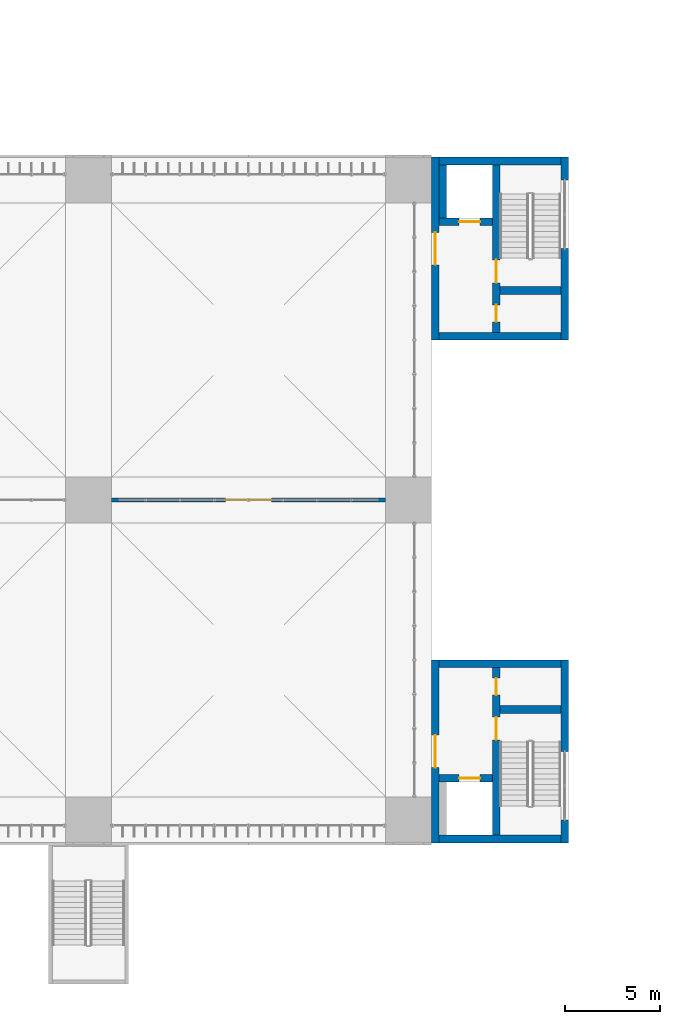
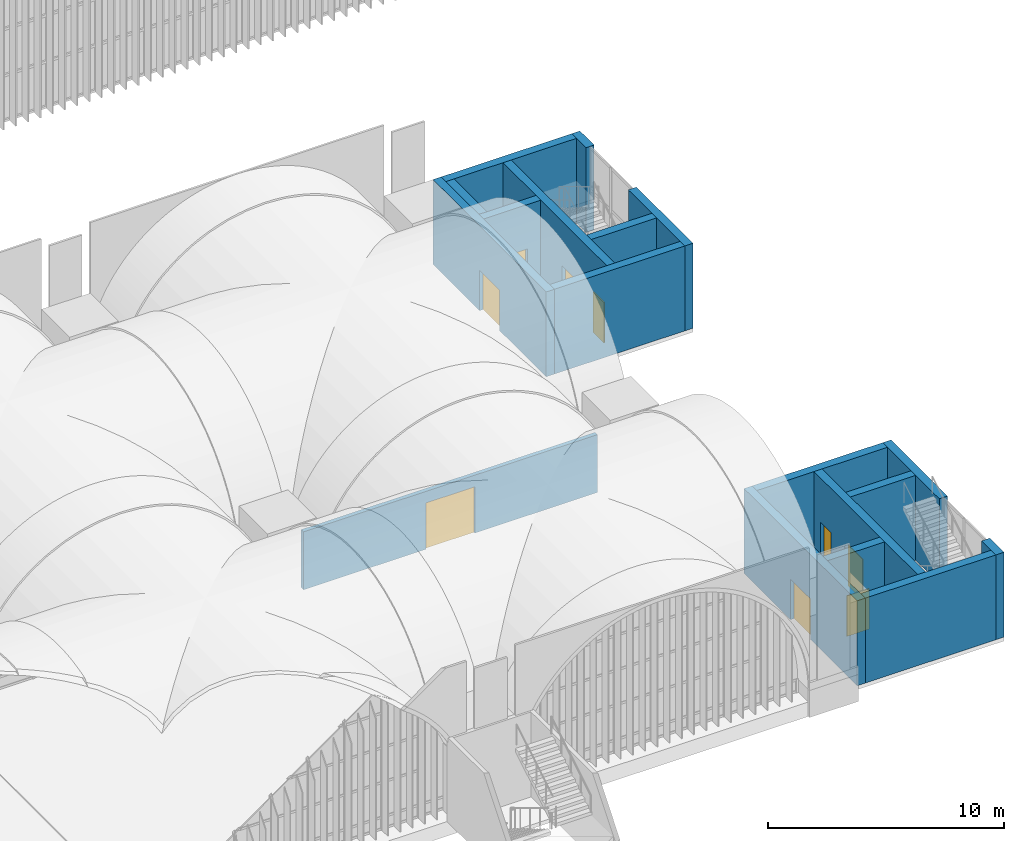
# One storey, part 103 of 169: 18 walls, 9 doors, 9 openings.
"""IFC4 building model written with IfcOpenShell, lengths in metres."""

from ifc_helpers import new_model, si_unit, direction, frame, frame_2d, origin, place, context, subcontext, project, spatial, rectangle, extrude, material, layer, layer_set, type_object, element, fill, save


model = new_model("IFC4")

# Units and contexts
model_context = context("Model", 3, precision=1e-05, world=origin(), true_north=direction((0.0, 1.0)))
body_context = subcontext(model_context, "Body", "Model", "MODEL_VIEW")
ifc_project = project(units=[si_unit("LENGTHUNIT", "METRE"), si_unit("AREAUNIT", "SQUARE_METRE"), si_unit("VOLUMEUNIT", "CUBIC_METRE"), si_unit("PLANEANGLEUNIT", "RADIAN"), si_unit("MASSUNIT", "GRAM", prefix="KILO")], contexts=[model_context])

# Site, building, storey
site_placement = place(None, origin())
site = spatial("IfcSite", under=ifc_project, at=site_placement, CompositionType="ELEMENT")
building_placement = place(site_placement, origin())
building = spatial("IfcBuilding", under=site, at=building_placement, Name="Verrick Yard Athletic Hall", CompositionType="ELEMENT")
storey_placement = place(building_placement, frame((0.0, 0.0, 4.39990234375)))
storey = spatial("IfcBuildingStorey", under=building, at=storey_placement, Name="L01", CompositionType="ELEMENT", Elevation=4.39990234375)

# Wall, opening, door
ifc_material_1 = material(Name="Concrete 35 MPa", Category="concrete")
ifc_layer_1 = layer(ifc_material_1, 0.199951171875)
ifc_layer_set_1 = layer_set([ifc_layer_1], Name="Concourse screen wall 200")
wall_type_1 = type_object("IfcWallType", Name="Concourse screen wall 200", PredefinedType="SOLIDWALL", material=ifc_layer_set_1)
wall_1_placement = place(storey_placement, frame((142.0, 36.0, 0.0), z_axis=(0.0, 0.0, 1.0), x_axis=(1.0, 0.0, 0.0)))
wall_1 = element("IfcWall", 1, at=wall_1_placement, inside=storey, type_object=wall_type_1, Name="Concourse screen wall M7", PredefinedType="SOLIDWALL", context=body_context, shape_type="SweptSolid", body=[
    extrude(rectangle(XDim=14.39990234375, YDim=0.199951171875, at=frame_2d((7.199951171875, 0.0))), origin(), (0.0, 0.0, 1.0), 3.0),
])
opening_1_placement = place(wall_1_placement, frame((6.0, 0.0, 0.0)))
opening_1 = element("IfcOpeningElement", 2, at=opening_1_placement, cuts=wall_1, Name="Opening MD1", PredefinedType="OPENING", context=body_context, shape_type="SweptSolid", body=[
    extrude(rectangle(XDim=2.39990234375, YDim=2.39990234375, at=frame_2d((1.199951171875, 1.199951171875))), frame((0.0, 0.10986328125, 0.0), z_axis=(0.0, -1.0, 0.0), x_axis=(1.0, 0.0, 0.0)), (0.0, 0.0, 1.0), 0.219970703125),
])
ifc_material_2 = material(Name="Aluminium frame with double glazing", Category="aluminium")
door_type_1 = type_object("IfcDoorType", Name="Concourse door pair 2400 x 2400", OperationType="NOTDEFINED", PredefinedType="DOOR", material=ifc_material_2)
door_1_placement = place(opening_1_placement, origin())
door_1 = element("IfcDoor", 3, at=door_1_placement, inside=storey, type_object=door_type_1, Name="Concourse door M7", OperationType="DOUBLE_DOOR_SINGLE_SWING", OverallHeight=2.39990234375, OverallWidth=2.39990234375, PredefinedType="DOOR", context=body_context, shape_type="SweptSolid", body=[
    extrude(rectangle(XDim=2.39990234375, YDim=2.39990234375, at=frame_2d((1.199951171875, 1.199951171875))), frame((0.0, 0.02490234375, 0.0), z_axis=(0.0, -1.0, 0.0), x_axis=(1.0, 0.0, 0.0)), (0.0, 0.0, 1.0), 0.050048828125),
])
fill(opening_1, door_1)

# Wall, openings, doors
ifc_layer_2 = layer(ifc_material_1, 0.39990234375)
ifc_layer_set_2 = layer_set([ifc_layer_2], Name="Core wall CR400")
wall_type_2 = type_object("IfcWallType", Name="Core wall CR400", PredefinedType="SHEAR", material=ifc_layer_set_2)
wall_2_placement = place(storey_placement, frame((162.199951171875, 18.39990234375, 0.0), z_axis=(0.0, 0.0, 1.0), x_axis=(0.0, 1.0, 0.0)))
wall_2 = element("IfcWall", 4, at=wall_2_placement, inside=storey, type_object=wall_type_2, Name="CORE-CB3-WP-L01", PredefinedType="SHEAR", context=body_context, shape_type="SweptSolid", body=[
    extrude(rectangle(XDim=8.800048828125, YDim=0.39990234375, at=frame_2d((4.39990234375, 0.0))), origin(), (0.0, 0.0, 1.0), 4.400146484375),
])
opening_2_placement = place(wall_2_placement, frame((5.0, 0.0, 0.0)))
opening_2 = element("IfcOpeningElement", 5, at=opening_2_placement, cuts=wall_2, Name="Opening SD1", PredefinedType="OPENING", context=body_context, shape_type="SweptSolid", body=[
    extrude(rectangle(XDim=1.199951171875, YDim=2.10009765625, at=frame_2d((0.60009765625, 1.050048828125))), frame((0.0, 0.2099609375, 0.0), z_axis=(0.0, -1.0, 0.0), x_axis=(1.0, 0.0, 0.0)), (0.0, 0.0, 1.0), 0.419921875),
])
opening_3_placement = place(wall_2_placement, frame((7.35009765625, 0.0, 0.0)))
opening_3 = element("IfcOpeningElement", 6, at=opening_3_placement, cuts=wall_2, Name="Opening RD1", PredefinedType="OPENING", context=body_context, shape_type="SweptSolid", body=[
    extrude(rectangle(XDim=0.89990234375, YDim=2.10009765625, at=frame_2d((0.449951171875, 1.050048828125))), frame((0.0, 0.2099609375, 0.0), z_axis=(0.0, -1.0, 0.0), x_axis=(1.0, 0.0, 0.0)), (0.0, 0.0, 1.0), 0.419921875),
])
ifc_material_3 = material(Name="Hollow metal door leaf")
door_type_2 = type_object("IfcDoorType", Name="Core door RD1 900x2100", OperationType="NOTDEFINED", PredefinedType="DOOR", material=ifc_material_3)
door_2_placement = place(opening_3_placement, origin())
door_2 = element("IfcDoor", 7, at=door_2_placement, inside=storey, type_object=door_type_2, Name="CORE-CB3-WP-L01-DRD1-2620", OperationType="SINGLE_SWING_RIGHT", OverallHeight=2.10009765625, OverallWidth=0.89990234375, PredefinedType="DOOR", context=body_context, shape_type="SweptSolid", body=[
    extrude(rectangle(XDim=0.89990234375, YDim=2.10009765625, at=frame_2d((0.449951171875, 1.050048828125))), frame((0.0, 0.02490234375, 0.0), z_axis=(0.0, -1.0, 0.0), x_axis=(1.0, 0.0, 0.0)), (0.0, 0.0, 1.0), 0.050048828125),
])
fill(opening_3, door_2)
door_type_3 = type_object("IfcDoorType", Name="Core door SD1 1200x2100", OperationType="NOTDEFINED", PredefinedType="DOOR", material=ifc_material_3)
door_3_placement = place(opening_2_placement, origin())
door_3 = element("IfcDoor", 8, at=door_3_placement, inside=storey, type_object=door_type_3, Name="CORE-CB3-WP-L01-DSD1-2400", OperationType="SINGLE_SWING_RIGHT", OverallHeight=2.10009765625, OverallWidth=1.199951171875, PredefinedType="DOOR", context=body_context, shape_type="SweptSolid", body=[
    extrude(rectangle(XDim=1.199951171875, YDim=2.10009765625, at=frame_2d((0.60009765625, 1.050048828125))), frame((0.0, 0.02490234375, 0.0), z_axis=(0.0, -1.0, 0.0), x_axis=(1.0, 0.0, 0.0)), (0.0, 0.0, 1.0), 0.050048828125),
])
fill(opening_2, door_3)

# Wall
wall_3_placement = place(storey_placement, frame((162.39990234375, 25.0, 0.0), z_axis=(0.0, 0.0, 1.0), x_axis=(1.0, 0.0, 0.0)))
element("IfcWall", 9, at=wall_3_placement, inside=storey, type_object=wall_type_2, Name="CORE-CB3-WSN-L01", PredefinedType="SHEAR", context=body_context, shape_type="SweptSolid", body=[
    extrude(rectangle(XDim=3.2001953125, YDim=0.39990234375, at=frame_2d((1.60009765625, 0.0))), origin(), (0.0, 0.0, 1.0), 4.400146484375),
])

# Wall, opening, door
wall_4_placement = place(storey_placement, frame((159.199951171875, 21.39990234375, 0.0), z_axis=(0.0, 0.0, 1.0), x_axis=(1.0, 0.0, 0.0)))
wall_4 = element("IfcWall", 10, at=wall_4_placement, inside=storey, type_object=wall_type_2, Name="CORE-CB3-WLN-L01", PredefinedType="SHEAR", context=body_context, shape_type="SweptSolid", body=[
    extrude(rectangle(XDim=2.800048828125, YDim=0.39990234375, at=frame_2d((1.39990234375, 0.0))), origin(), (0.0, 0.0, 1.0), 4.400146484375),
])
opening_4_placement = place(wall_4_placement, frame((1.050048828125, 0.0, 0.0)))
opening_4 = element("IfcOpeningElement", 11, at=opening_4_placement, cuts=wall_4, Name="Opening LD", PredefinedType="OPENING", context=body_context, shape_type="SweptSolid", body=[
    extrude(rectangle(XDim=1.10009765625, YDim=2.10009765625, at=frame_2d((0.550048828125, 1.050048828125))), frame((0.0, 0.2099609375, 0.0), z_axis=(0.0, -1.0, 0.0), x_axis=(1.0, 0.0, 0.0)), (0.0, 0.0, 1.0), 0.419921875),
])
ifc_material_4 = material(Name="Stainless steel landing door", Category="steel")
door_type_4 = type_object("IfcDoorType", Name="Lift landing door LD 1100x2100", OperationType="NOTDEFINED", PredefinedType="DOOR", material=ifc_material_4)
door_4_placement = place(opening_4_placement, origin())
door_4 = element("IfcDoor", 12, at=door_4_placement, inside=storey, type_object=door_type_4, Name="Lift landing door", OperationType="SLIDING_TO_RIGHT", OverallHeight=2.10009765625, OverallWidth=1.10009765625, PredefinedType="DOOR", context=body_context, shape_type="SweptSolid", body=[
    extrude(rectangle(XDim=1.10009765625, YDim=2.10009765625, at=frame_2d((0.550048828125, 1.050048828125))), frame((0.0, 0.02490234375, 0.0), z_axis=(0.0, -1.0, 0.0), x_axis=(1.0, 0.0, 0.0)), (0.0, 0.0, 1.0), 0.050048828125),
])
fill(opening_4, door_4)

# Wall, openings, doors
wall_5_placement = place(storey_placement, frame((162.199951171875, 44.800048828125, 0.0), z_axis=(0.0, 0.0, 1.0), x_axis=(0.0, 1.0, 0.0)))
wall_5 = element("IfcWall", 13, at=wall_5_placement, inside=storey, type_object=wall_type_2, Name="CORE-CB4-WP-L01", PredefinedType="SHEAR", context=body_context, shape_type="SweptSolid", body=[
    extrude(rectangle(XDim=8.800048828125, YDim=0.39990234375, at=frame_2d((4.39990234375, 0.0))), origin(), (0.0, 0.0, 1.0), 4.400146484375),
])
opening_5_placement = place(wall_5_placement, frame((2.60009765625, 0.0, 0.0)))
opening_5 = element("IfcOpeningElement", 14, at=opening_5_placement, cuts=wall_5, Name="Opening SD1", PredefinedType="OPENING", context=body_context, shape_type="SweptSolid", body=[
    extrude(rectangle(XDim=1.199951171875, YDim=2.10009765625, at=frame_2d((0.60009765625, 1.050048828125))), frame((0.0, 0.2099609375, 0.0), z_axis=(0.0, -1.0, 0.0), x_axis=(1.0, 0.0, 0.0)), (0.0, 0.0, 1.0), 0.419921875),
])
opening_6_placement = place(wall_5_placement, frame((0.550048828125, 0.0, 0.0)))
opening_6 = element("IfcOpeningElement", 15, at=opening_6_placement, cuts=wall_5, Name="Opening RD1", PredefinedType="OPENING", context=body_context, shape_type="SweptSolid", body=[
    extrude(rectangle(XDim=0.89990234375, YDim=2.10009765625, at=frame_2d((0.449951171875, 1.050048828125))), frame((0.0, 0.2099609375, 0.0), z_axis=(0.0, -1.0, 0.0), x_axis=(1.0, 0.0, 0.0)), (0.0, 0.0, 1.0), 0.419921875),
])
door_5_placement = place(opening_6_placement, origin())
door_5 = element("IfcDoor", 16, at=door_5_placement, inside=storey, type_object=door_type_2, Name="CORE-CB4-WP-L01-DRD1-4580", OperationType="SINGLE_SWING_LEFT", OverallHeight=2.10009765625, OverallWidth=0.89990234375, PredefinedType="DOOR", context=body_context, shape_type="SweptSolid", body=[
    extrude(rectangle(XDim=0.89990234375, YDim=2.10009765625, at=frame_2d((0.449951171875, 1.050048828125))), frame((0.0, 0.02490234375, 0.0), z_axis=(0.0, -1.0, 0.0), x_axis=(1.0, 0.0, 0.0)), (0.0, 0.0, 1.0), 0.050048828125),
])
fill(opening_6, door_5)
door_6_placement = place(opening_5_placement, origin())
door_6 = element("IfcDoor", 17, at=door_6_placement, inside=storey, type_object=door_type_3, Name="CORE-CB4-WP-L01-DSD1-4800", OperationType="SINGLE_SWING_LEFT", OverallHeight=2.10009765625, OverallWidth=1.199951171875, PredefinedType="DOOR", context=body_context, shape_type="SweptSolid", body=[
    extrude(rectangle(XDim=1.199951171875, YDim=2.10009765625, at=frame_2d((0.60009765625, 1.050048828125))), frame((0.0, 0.02490234375, 0.0), z_axis=(0.0, -1.0, 0.0), x_axis=(1.0, 0.0, 0.0)), (0.0, 0.0, 1.0), 0.050048828125),
])
fill(opening_5, door_6)

# Wall
wall_6_placement = place(storey_placement, frame((162.39990234375, 47.0, 0.0), z_axis=(0.0, 0.0, 1.0), x_axis=(1.0, 0.0, 0.0)))
element("IfcWall", 18, at=wall_6_placement, inside=storey, type_object=wall_type_2, Name="CORE-CB4-WSN-L01", PredefinedType="SHEAR", context=body_context, shape_type="SweptSolid", body=[
    extrude(rectangle(XDim=3.2001953125, YDim=0.39990234375, at=frame_2d((1.60009765625, 0.0))), origin(), (0.0, 0.0, 1.0), 4.400146484375),
])

# Wall, opening, door
wall_7_placement = place(storey_placement, frame((159.199951171875, 50.60009765625, 0.0), z_axis=(0.0, 0.0, 1.0), x_axis=(1.0, 0.0, 0.0)))
wall_7 = element("IfcWall", 19, at=wall_7_placement, inside=storey, type_object=wall_type_2, Name="CORE-CB4-WLN-L01", PredefinedType="SHEAR", context=body_context, shape_type="SweptSolid", body=[
    extrude(rectangle(XDim=2.800048828125, YDim=0.39990234375, at=frame_2d((1.39990234375, 0.0))), origin(), (0.0, 0.0, 1.0), 4.400146484375),
])
opening_7_placement = place(wall_7_placement, frame((1.050048828125, 0.0, 0.0)))
opening_7 = element("IfcOpeningElement", 20, at=opening_7_placement, cuts=wall_7, Name="Opening LD", PredefinedType="OPENING", context=body_context, shape_type="SweptSolid", body=[
    extrude(rectangle(XDim=1.10009765625, YDim=2.10009765625, at=frame_2d((0.550048828125, 1.050048828125))), frame((0.0, 0.2099609375, 0.0), z_axis=(0.0, -1.0, 0.0), x_axis=(1.0, 0.0, 0.0)), (0.0, 0.0, 1.0), 0.419921875),
])
door_7_placement = place(opening_7_placement, origin())
door_7 = element("IfcDoor", 21, at=door_7_placement, inside=storey, type_object=door_type_4, Name="Lift landing door", OperationType="SLIDING_TO_LEFT", OverallHeight=2.10009765625, OverallWidth=1.10009765625, PredefinedType="DOOR", context=body_context, shape_type="SweptSolid", body=[
    extrude(rectangle(XDim=1.10009765625, YDim=2.10009765625, at=frame_2d((0.550048828125, 1.050048828125))), frame((0.0, 0.02490234375, 0.0), z_axis=(0.0, -1.0, 0.0), x_axis=(1.0, 0.0, 0.0)), (0.0, 0.0, 1.0), 0.050048828125),
])
fill(opening_7, door_7)

# Walls
wall_8_placement = place(storey_placement, frame((159.39990234375, 50.800048828125, 0.0), z_axis=(0.0, 0.0, 1.0), x_axis=(0.0, 1.0, 0.0)))
element("IfcWall", 22, at=wall_8_placement, inside=storey, type_object=wall_type_2, Name="CORE-CB4-WLE-L01", PredefinedType="SHEAR", context=body_context, shape_type="SweptSolid", body=[
    extrude(rectangle(XDim=2.800048828125, YDim=0.39990234375, at=frame_2d((1.39990234375, 0.0))), origin(), (0.0, 0.0, 1.0), 4.400146484375),
])
ifc_layer_3 = layer(ifc_material_1, 0.39990234375)
ifc_layer_set_3 = layer_set([ifc_layer_3], Name="External core wall CR400")
wall_type_3 = type_object("IfcWallType", Name="External core wall CR400", PredefinedType="SHEAR", material=ifc_layer_set_3)
wall_9_placement = place(storey_placement, frame((165.800048828125, 19.199951171875, 0.0), z_axis=(0.0, 0.0, 1.0), x_axis=(0.0, -1.0, 0.0)))
element("IfcWall", 23, at=wall_9_placement, inside=storey, type_object=wall_type_3, Name="CORE-CB3-WW-L01-0", PredefinedType="SHEAR", context=body_context, shape_type="SweptSolid", body=[
    extrude(rectangle(XDim=1.199951171875, YDim=0.39990234375, at=frame_2d((0.60009765625, 0.0))), origin(), (0.0, 0.0, 1.0), 4.400146484375),
])
wall_10_placement = place(storey_placement, frame((165.800048828125, 27.60009765625, 0.0), z_axis=(0.0, 0.0, 1.0), x_axis=(0.0, -1.0, 0.0)))
element("IfcWall", 24, at=wall_10_placement, inside=storey, type_object=wall_type_3, Name="CORE-CB3-WW-L01-1", PredefinedType="SHEAR", context=body_context, shape_type="SweptSolid", body=[
    extrude(rectangle(XDim=4.800048828125, YDim=0.39990234375, at=frame_2d((2.39990234375, 0.0))), origin(), (0.0, 0.0, 1.0), 4.400146484375),
])

# Wall, opening, door
wall_11_placement = place(storey_placement, frame((159.0, 18.0, 0.0), z_axis=(0.0, 0.0, 1.0), x_axis=(0.0, 1.0, 0.0)))
wall_11 = element("IfcWall", 25, at=wall_11_placement, inside=storey, type_object=wall_type_3, Name="CORE-CB3-WE-L01", PredefinedType="SHEAR", context=body_context, shape_type="SweptSolid", body=[
    extrude(rectangle(XDim=9.60009765625, YDim=0.39990234375, at=frame_2d((4.800048828125, 0.0))), origin(), (0.0, 0.0, 1.0), 4.400146484375),
])
opening_8_placement = place(wall_11_placement, frame((3.949951171875, 0.0, 0.0)))
opening_8 = element("IfcOpeningElement", 26, at=opening_8_placement, cuts=wall_11, Name="Opening SD2", PredefinedType="OPENING", context=body_context, shape_type="SweptSolid", body=[
    extrude(rectangle(XDim=1.699951171875, YDim=2.10009765625, at=frame_2d((0.85009765625, 1.050048828125))), frame((0.0, 0.2099609375, 0.0), z_axis=(0.0, -1.0, 0.0), x_axis=(1.0, 0.0, 0.0)), (0.0, 0.0, 1.0), 0.419921875),
])
door_type_5 = type_object("IfcDoorType", Name="Core door SD2 1700x2100", OperationType="NOTDEFINED", PredefinedType="DOOR", material=ifc_material_3)
door_8_placement = place(opening_8_placement, origin())
door_8 = element("IfcDoor", 27, at=door_8_placement, inside=storey, type_object=door_type_5, Name="CORE-CB3-WE-L01-DSD2-2280", OperationType="DOUBLE_DOOR_SINGLE_SWING", OverallHeight=2.10009765625, OverallWidth=1.699951171875, PredefinedType="DOOR", context=body_context, shape_type="SweptSolid", body=[
    extrude(rectangle(XDim=1.699951171875, YDim=2.10009765625, at=frame_2d((0.85009765625, 1.050048828125))), frame((0.0, 0.02490234375, 0.0), z_axis=(0.0, -1.0, 0.0), x_axis=(1.0, 0.0, 0.0)), (0.0, 0.0, 1.0), 0.050048828125),
])
fill(opening_8, door_8)

# Walls
for number, where, z_axis, x_axis, name in (
    (28, (159.199951171875, 18.199951171875, 0.0), (0.0, 0.0, 1.0), (1.0, 0.0, 0.0), "CORE-CB3-WS-L01"),
    (29, (159.199951171875, 27.39990234375, 0.0), (0.0, 0.0, 1.0), (1.0, 0.0, 0.0), "CORE-CB3-WN-L01"),
):
    element("IfcWall", number, at=place(storey_placement, frame(where, z_axis=z_axis, x_axis=x_axis)), inside=storey, type_object=wall_type_3, Name=name, PredefinedType="SHEAR", context=body_context, shape_type="SweptSolid", body=[
        extrude(rectangle(XDim=6.400146484375, YDim=0.39990234375, at=frame_2d((3.2001953125, 0.0))), origin(), (0.0, 0.0, 1.0), 4.400146484375),
    ])
wall_12_placement = place(storey_placement, frame((165.800048828125, 49.199951171875, 0.0), z_axis=(0.0, 0.0, 1.0), x_axis=(0.0, -1.0, 0.0)))
element("IfcWall", 30, at=wall_12_placement, inside=storey, type_object=wall_type_3, Name="CORE-CB4-WW-L01-0", PredefinedType="SHEAR", context=body_context, shape_type="SweptSolid", body=[
    extrude(rectangle(XDim=4.800048828125, YDim=0.39990234375, at=frame_2d((2.39990234375, 0.0))), origin(), (0.0, 0.0, 1.0), 4.400146484375),
])
wall_13_placement = place(storey_placement, frame((165.800048828125, 54.0, 0.0), z_axis=(0.0, 0.0, 1.0), x_axis=(0.0, -1.0, 0.0)))
element("IfcWall", 31, at=wall_13_placement, inside=storey, type_object=wall_type_3, Name="CORE-CB4-WW-L01-1", PredefinedType="SHEAR", context=body_context, shape_type="SweptSolid", body=[
    extrude(rectangle(XDim=1.199951171875, YDim=0.39990234375, at=frame_2d((0.60009765625, 0.0))), origin(), (0.0, 0.0, 1.0), 4.400146484375),
])

# Wall, opening, door
wall_14_placement = place(storey_placement, frame((159.0, 44.39990234375, 0.0), z_axis=(0.0, 0.0, 1.0), x_axis=(0.0, 1.0, 0.0)))
wall_14 = element("IfcWall", 32, at=wall_14_placement, inside=storey, type_object=wall_type_3, Name="CORE-CB4-WE-L01", PredefinedType="SHEAR", context=body_context, shape_type="SweptSolid", body=[
    extrude(rectangle(XDim=9.60009765625, YDim=0.39990234375, at=frame_2d((4.800048828125, 0.0))), origin(), (0.0, 0.0, 1.0), 4.400146484375),
])
opening_9_placement = place(wall_14_placement, frame((3.949951171875, 0.0, 0.0)))
opening_9 = element("IfcOpeningElement", 33, at=opening_9_placement, cuts=wall_14, Name="Opening SD2", PredefinedType="OPENING", context=body_context, shape_type="SweptSolid", body=[
    extrude(rectangle(XDim=1.699951171875, YDim=2.10009765625, at=frame_2d((0.85009765625, 1.050048828125))), frame((0.0, 0.2099609375, 0.0), z_axis=(0.0, -1.0, 0.0), x_axis=(1.0, 0.0, 0.0)), (0.0, 0.0, 1.0), 0.419921875),
])
door_9_placement = place(opening_9_placement, origin())
door_9 = element("IfcDoor", 34, at=door_9_placement, inside=storey, type_object=door_type_5, Name="CORE-CB4-WE-L01-DSD2-4920", OperationType="DOUBLE_DOOR_SINGLE_SWING", OverallHeight=2.10009765625, OverallWidth=1.699951171875, PredefinedType="DOOR", context=body_context, shape_type="SweptSolid", body=[
    extrude(rectangle(XDim=1.699951171875, YDim=2.10009765625, at=frame_2d((0.85009765625, 1.050048828125))), frame((0.0, 0.02490234375, 0.0), z_axis=(0.0, -1.0, 0.0), x_axis=(1.0, 0.0, 0.0)), (0.0, 0.0, 1.0), 0.050048828125),
])
fill(opening_9, door_9)

# Walls
for number, where, z_axis, x_axis, name in (
    (35, (159.199951171875, 53.800048828125, 0.0), (0.0, 0.0, 1.0), (1.0, 0.0, 0.0), "CORE-CB4-WS-L01"),
    (36, (159.199951171875, 44.60009765625, 0.0), (0.0, 0.0, 1.0), (1.0, 0.0, 0.0), "CORE-CB4-WN-L01"),
):
    element("IfcWall", number, at=place(storey_placement, frame(where, z_axis=z_axis, x_axis=x_axis)), inside=storey, type_object=wall_type_3, Name=name, PredefinedType="SHEAR", context=body_context, shape_type="SweptSolid", body=[
        extrude(rectangle(XDim=6.400146484375, YDim=0.39990234375, at=frame_2d((3.2001953125, 0.0))), origin(), (0.0, 0.0, 1.0), 4.400146484375),
    ])

save(model, "model.ifc")
